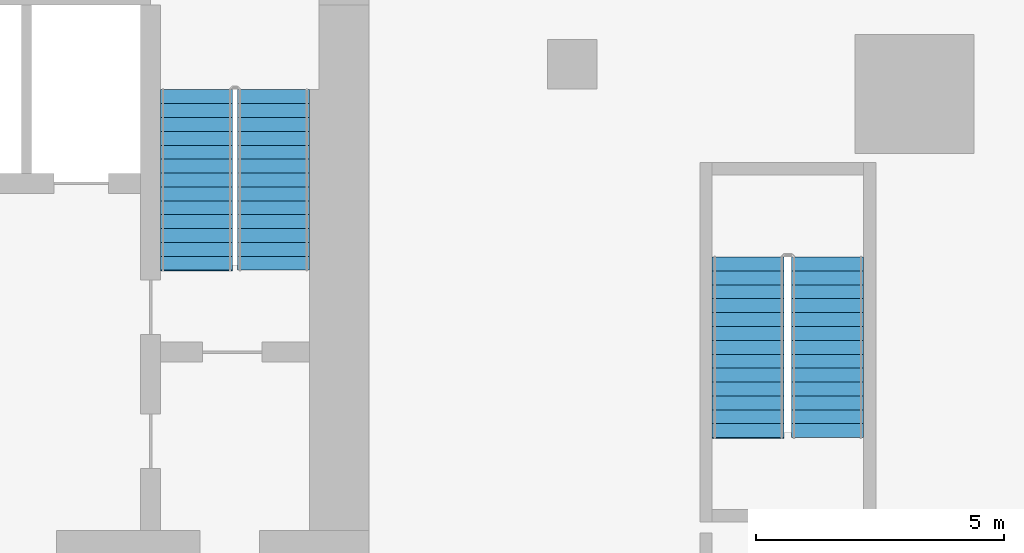
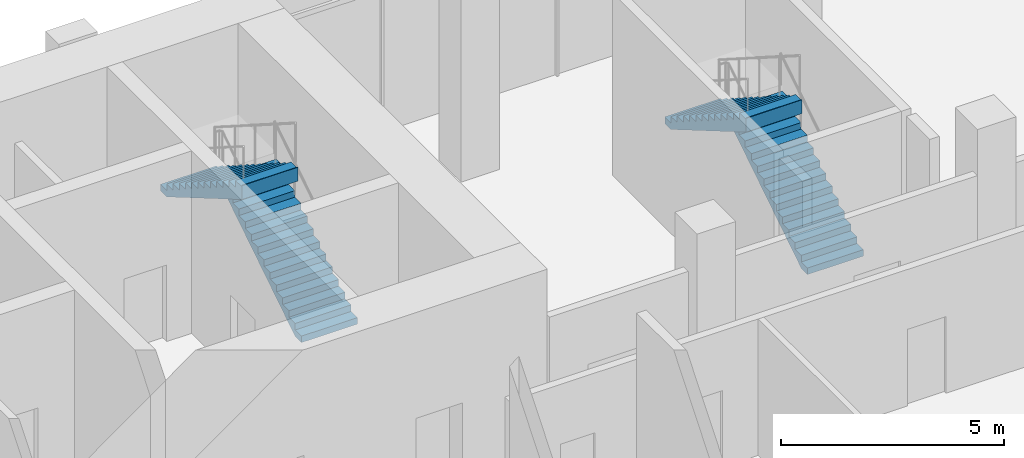
# One storey, part 15 of 17: 4 stair flights, 2 elements without a shape of their own.
"""IFC4 building model written with IfcOpenShell, lengths in metres."""

import ifcopenshell
import ifcopenshell.guid

model = None  # the IFC model being written
_history = None  # IfcOwnerHistory: only IFC2X3 demands one
_inside = {}  # id of a spatial element -> (the spatial element, [elements in it])
_under = {}  # id of a project, library or spatial element -> (it, [spatial elements below it])
_declared = {}  # id of a project -> (the project, [libraries it declares])
_typed = {}  # id of a type object -> (the type object, [elements of that type])
_made_of = {}  # id of a material, layer set ... -> (it, [elements and type objects made of it])


def new_model(schema):
    """Start an empty IFC model of exactly this schema.

    Asked for "IFC4X3", IfcOpenShell would pick the latest addendum, in which some entities
    have other attributes; the version numbers below select the first issue.
    IFC2X3 requires an IfcOwnerHistory on every rooted entity: one is made here for all.
    """
    global model, _history
    if schema == "IFC4X3":
        model = ifcopenshell.file(schema_version=(4, 3, 0, 0))
    else:
        model = ifcopenshell.file(schema=schema)
    _inside.clear()
    _under.clear()
    _declared.clear()
    _typed.clear()
    _made_of.clear()
    _history = None
    if model.schema == "IFC2X3":
        org = make("IfcOrganization", Name="unknown")
        user = make(
            "IfcPersonAndOrganization",
            ThePerson=make("IfcPerson", FamilyName="unknown"),
            TheOrganization=org,
        )
        app = make(
            "IfcApplication",
            ApplicationDeveloper=org,
            Version="unknown",
            ApplicationFullName="unknown",
            ApplicationIdentifier="unknown",
        )
        _history = make(
            "IfcOwnerHistory",
            OwningUser=user,
            OwningApplication=app,
            ChangeAction="ADDED",
            CreationDate=0,
        )
    return model


def make(cls, **values):
    """One entity of the class cls with the attributes given. An attribute that is None is left unset."""
    return model.create_entity(
        cls, **{name: value for name, value in values.items() if value is not None}
    )


def rooted(cls, **values):
    """An entity with a GlobalId (a new one), such as an element, a storey or a relation."""
    return make(cls, GlobalId=ifcopenshell.guid.new(), OwnerHistory=_history, **values)


def si_unit(unit_type, name, prefix=None):
    """IfcSIUnit, for example si_unit("LENGTHUNIT", "METRE", prefix="MILLI")."""
    return make("IfcSIUnit", UnitType=unit_type, Prefix=prefix, Name=name)


def assignment(units):
    """IfcUnitAssignment: the units of a project."""
    return None if units is None else make("IfcUnitAssignment", Units=units)


def point(xyz):
    """IfcCartesianPoint."""
    return None if xyz is None else make("IfcCartesianPoint", Coordinates=xyz)


def direction(xyz):
    """IfcDirection."""
    return None if xyz is None else make("IfcDirection", DirectionRatios=xyz)


def frame(location, z_axis=None, x_axis=None):
    """IfcAxis2Placement3D, a coordinate frame: its origin and axes. An axis left out is left unset."""
    return make(
        "IfcAxis2Placement3D",
        Location=point(location),
        Axis=direction(z_axis),
        RefDirection=direction(x_axis),
    )


def origin():
    """The frame at (0, 0, 0) with its axes left unset."""
    return frame((0.0, 0.0, 0.0))


def place(relative_to, where):
    """IfcLocalPlacement: puts the frame where relative to a parent placement (None: the world)."""
    return make(
        "IfcLocalPlacement", PlacementRelTo=relative_to, RelativePlacement=where
    )


def context(
    kind, dimensions, precision=None, world=None, true_north=None, identifier=None
):
    """IfcGeometricRepresentationContext, for example the 3D "Model" context."""
    return make(
        "IfcGeometricRepresentationContext",
        ContextIdentifier=identifier,
        ContextType=kind,
        CoordinateSpaceDimension=dimensions,
        Precision=precision,
        WorldCoordinateSystem=world,
        TrueNorth=true_north,
    )


def subcontext(parent, identifier, kind, view, scale=None):
    """IfcGeometricRepresentationSubContext, for example "Body" below "Model"."""
    return make(
        "IfcGeometricRepresentationSubContext",
        ContextIdentifier=identifier,
        ContextType=kind,
        ParentContext=parent,
        TargetScale=scale,
        TargetView=view,
    )


def project(units=None, contexts=None):
    """IfcProject with its units and contexts."""
    return rooted(
        "IfcProject",
        Name="project",
        RepresentationContexts=contexts,
        UnitsInContext=assignment(units),
    )


def spatial(cls, under=None, at=None, **own):
    """A site, building, storey or space (cls), placed at a placement, below another one or the project."""
    s = rooted(cls, ObjectPlacement=at, **own)
    if under is not None:
        _under.setdefault(under.id(), (under, []))[1].append(s)
    return s


def polyline(points):
    """IfcPolyline through the points."""
    return make("IfcPolyline", Points=[point(p) for p in points])


def outline(outer, holes=None, kind="AREA"):
    """IfcArbitraryClosedProfileDef: a profile drawn as a closed curve; with holes, ...WithVoids."""
    if holes is None:
        return make("IfcArbitraryClosedProfileDef", ProfileType=kind, OuterCurve=outer)
    return make(
        "IfcArbitraryProfileDefWithVoids",
        ProfileType=kind,
        OuterCurve=outer,
        InnerCurves=holes,
    )


def extrude(swept, where, along, depth):
    """IfcExtrudedAreaSolid: the profile swept, set in the frame where, extruded along a direction by depth."""
    return make(
        "IfcExtrudedAreaSolid",
        SweptArea=swept,
        Position=where,
        ExtrudedDirection=direction(along),
        Depth=depth,
    )


def shape(context_of_items, identifier, shape_type, items):
    """IfcShapeRepresentation: the items that make up one representation, for example the "Body"."""
    return make(
        "IfcShapeRepresentation",
        ContextOfItems=context_of_items,
        RepresentationIdentifier=identifier,
        RepresentationType=shape_type,
        Items=items,
    )


def material(Name=None, Category=None):
    """IfcMaterial."""
    return make("IfcMaterial", Name=Name, Category=Category)


def made_of(thing, what):
    """Note that an element or type object is made of a material, layer set ...; save() writes the relation."""
    if what is not None:
        _made_of.setdefault(what.id(), (what, []))[1].append(thing)
    return thing


def type_object(cls, material=None, **own):
    """A type object (cls), such as IfcWallType, which elements share."""
    return made_of(rooted(cls, **own), material)


def element(
    cls,
    number,
    at=None,
    inside=None,
    cuts=None,
    type_object=None,
    material=None,
    context=None,
    identifier="Body",
    shape_type=None,
    held_by="IfcProductDefinitionShape",
    body=None,
    shapes=None,
    **own,
):
    """One element of the class cls, such as IfcWall. Its Tag is "e" and its number.

    at: its placement. inside: the storey or other place that contains it. cuts: it is an
    opening in that element (IfcRelVoidsElement). A single representation is given by context,
    identifier, shape_type and body (its items); several are given by shapes. held_by: the class
    of the entity that holds the representations. save() writes the other relations.
    """
    e = rooted(cls, Tag="e%d" % number, ObjectPlacement=at, **own)
    if body is not None:
        shapes = [shape(context, identifier, shape_type, body)]
    if shapes is not None:
        e.Representation = make(held_by, Representations=shapes)
    if inside is not None:
        _inside.setdefault(inside.id(), (inside, []))[1].append(e)
    if cuts is not None:
        rooted(
            "IfcRelVoidsElement", RelatingBuildingElement=cuts, RelatedOpeningElement=e
        )
    if type_object is not None:
        _typed.setdefault(type_object.id(), (type_object, []))[1].append(e)
    return made_of(e, material)


def aggregate(whole, parts):
    """IfcRelAggregates: a whole, such as a stair, and the parts it consists of."""
    return rooted("IfcRelAggregates", RelatingObject=whole, RelatedObjects=parts)


def save(model, path):
    """Write the relations noted so far, then the file.

    IfcRelAggregates (storeys below a building ...), IfcRelContainedInSpatialStructure (elements
    in a storey), IfcRelDefinesByType, IfcRelAssociatesMaterial and IfcRelDeclares: one each for
    every whole, place, type object, material and project.
    """
    for whole, parts in _under.values():
        aggregate(whole, parts)
    for where, things in _inside.values():
        rooted(
            "IfcRelContainedInSpatialStructure",
            RelatedElements=things,
            RelatingStructure=where,
        )
    for kind, things in _typed.values():
        rooted("IfcRelDefinesByType", RelatedObjects=things, RelatingType=kind)
    for what, things in _made_of.values():
        rooted("IfcRelAssociatesMaterial", RelatedObjects=things, RelatingMaterial=what)
    for by, libraries in _declared.values():
        rooted("IfcRelDeclares", RelatingContext=by, RelatedDefinitions=libraries)
    model.write(path)


model = new_model("IFC4")

# Units and contexts
model_context = context("Model", 3, precision=1e-05, world=origin(), true_north=direction((0.0, 1.0)))
body_context = subcontext(model_context, "Body", "Model", "MODEL_VIEW")
ifc_project = project(units=[si_unit("LENGTHUNIT", "METRE"), si_unit("AREAUNIT", "SQUARE_METRE"), si_unit("VOLUMEUNIT", "CUBIC_METRE"), si_unit("PLANEANGLEUNIT", "RADIAN"), si_unit("MASSUNIT", "GRAM", prefix="KILO")], contexts=[model_context])

# Site, building, storey
site_placement = place(None, origin())
site = spatial("IfcSite", under=ifc_project, at=site_placement, CompositionType="ELEMENT")
building_placement = place(site_placement, origin())
building = spatial("IfcBuilding", under=site, at=building_placement, Name="Bicima Exchange Tower", CompositionType="ELEMENT")
storey_placement = place(building_placement, frame((0.0, 0.0, 30.0)))
storey = spatial("IfcBuildingStorey", under=building, at=storey_placement, Name="L05", CompositionType="ELEMENT", Elevation=30.0)

# Stair, stair flights
ifc_material = material(Name="Concrete C50/60", Category="concrete")
stair_type = type_object("IfcStairType", Name="Exit stair", PredefinedType="HALF_TURN_STAIR", material=ifc_material)
stair_1_placement = place(storey_placement, origin())
stair_1 = element("IfcStair", 1, at=stair_1_placement, inside=storey, type_object=stair_type, Name="L05 East exit stair", PredefinedType="HALF_TURN_STAIR")
stair_flight_type = type_object("IfcStairFlightType", Name="Stair flight RC", PredefinedType="STRAIGHT", material=ifc_material)
stair_flight_1_placement = place(storey_placement, frame((20.074951171875, -6.550048828125, 0.0), z_axis=(0.0, 0.0, 1.0), x_axis=(0.0, 1.0, 0.0)))
stair_flight_1 = element("IfcStairFlight", 2, at=stair_flight_1_placement, type_object=stair_flight_type, Name="ST-E flight 1", NumberOfRisers=14, NumberOfTreads=13, PredefinedType="STRAIGHT", RiserHeight=0.178571429, TreadLength=0.28, context=body_context, shape_type="SweptSolid", body=[
    extrude(outline(polyline([(0.0, 0.0), (0.0, 0.178466796875), (0.280029296875, 0.178466796875), (0.280029296875, 0.357177734375), (0.56005859375, 0.357177734375), (0.56005859375, 0.53564453125), (0.840087890625, 0.53564453125), (0.840087890625, 0.71435546875), (1.1201171875, 0.71435546875), (1.1201171875, 0.892822265625), (1.39990234375, 0.892822265625), (1.39990234375, 1.071533203125), (1.679931640625, 1.071533203125), (1.679931640625, 1.25), (1.9599609375, 1.25), (1.9599609375, 1.428466796875), (2.239990234375, 1.428466796875), (2.239990234375, 1.607177734375), (2.52001953125, 1.607177734375), (2.52001953125, 1.78564453125), (2.800048828125, 1.78564453125), (2.800048828125, 1.96435546875), (3.080078125, 1.96435546875), (3.080078125, 2.142822265625), (3.360107421875, 2.142822265625), (3.360107421875, 2.321533203125), (3.639892578125, 2.321533203125), (3.639892578125, 2.5), (3.639892578125, 2.1435546875), (0.27880859375, 0.0), (0.0, 0.0)])), frame((0.0, 0.72509765625, 0.0), z_axis=(0.0, -1.0, 0.0), x_axis=(1.0, 0.0, 0.0)), (0.0, 0.0, 1.0), 1.449951171875),
])
stair_flight_2_placement = place(storey_placement, frame((18.52490234375, -2.909912109375, 2.5), z_axis=(0.0, 0.0, 1.0), x_axis=(0.0, -1.0, 0.0)))
stair_flight_2 = element("IfcStairFlight", 3, at=stair_flight_2_placement, type_object=stair_flight_type, Name="ST-E flight 2", NumberOfRisers=14, NumberOfTreads=13, PredefinedType="STRAIGHT", RiserHeight=0.178571429, TreadLength=0.28, context=body_context, shape_type="SweptSolid", body=[
    extrude(outline(polyline([(0.0, 0.0), (0.0, 0.178466796875), (0.280029296875, 0.178466796875), (0.280029296875, 0.357177734375), (0.56005859375, 0.357177734375), (0.56005859375, 0.53564453125), (0.840087890625, 0.53564453125), (0.840087890625, 0.71435546875), (1.1201171875, 0.71435546875), (1.1201171875, 0.892822265625), (1.39990234375, 0.892822265625), (1.39990234375, 1.071533203125), (1.679931640625, 1.071533203125), (1.679931640625, 1.25), (1.9599609375, 1.25), (1.9599609375, 1.428466796875), (2.239990234375, 1.428466796875), (2.239990234375, 1.607177734375), (2.52001953125, 1.607177734375), (2.52001953125, 1.78564453125), (2.800048828125, 1.78564453125), (2.800048828125, 1.96435546875), (3.080078125, 1.96435546875), (3.080078125, 2.142822265625), (3.360107421875, 2.142822265625), (3.360107421875, 2.321533203125), (3.639892578125, 2.321533203125), (3.639892578125, 2.35400390625), (3.655029296875, 2.35400390625), (3.655029296875, 1.974609375), (0.27880859375, 0.0), (0.0, 0.0)])), frame((0.0, 0.72509765625, 0.0), z_axis=(0.0, -1.0, 0.0), x_axis=(1.0, 0.0, 0.0)), (0.0, 0.0, 1.0), 1.449951171875),
])
aggregate(stair_1, [stair_flight_1, stair_flight_2])

stair_2_placement = place(storey_placement, origin())
stair_2 = element("IfcStair", 4, at=stair_2_placement, inside=storey, type_object=stair_type, Name="L05 East end exit stair", PredefinedType="HALF_TURN_STAIR")
stair_flight_3_placement = place(storey_placement, frame((31.25, -9.925048828125, 0.0), z_axis=(0.0, 0.0, 1.0), x_axis=(0.0, 1.0, 0.0)))
stair_flight_3 = element("IfcStairFlight", 5, at=stair_flight_3_placement, type_object=stair_flight_type, Name="ST-EE flight 1", NumberOfRisers=14, NumberOfTreads=13, PredefinedType="STRAIGHT", RiserHeight=0.178571429, TreadLength=0.28, context=body_context, shape_type="SweptSolid", body=[
    extrude(outline(polyline([(0.0, 0.0), (0.0, 0.178466796875), (0.280029296875, 0.178466796875), (0.280029296875, 0.357177734375), (0.56005859375, 0.357177734375), (0.56005859375, 0.53564453125), (0.840087890625, 0.53564453125), (0.840087890625, 0.71435546875), (1.1201171875, 0.71435546875), (1.1201171875, 0.892822265625), (1.39990234375, 0.892822265625), (1.39990234375, 1.071533203125), (1.679931640625, 1.071533203125), (1.679931640625, 1.25), (1.9599609375, 1.25), (1.9599609375, 1.428466796875), (2.239990234375, 1.428466796875), (2.239990234375, 1.607177734375), (2.52001953125, 1.607177734375), (2.52001953125, 1.78564453125), (2.800048828125, 1.78564453125), (2.800048828125, 1.96435546875), (3.080078125, 1.96435546875), (3.080078125, 2.142822265625), (3.360107421875, 2.142822265625), (3.360107421875, 2.321533203125), (3.639892578125, 2.321533203125), (3.639892578125, 2.5), (3.639892578125, 2.1435546875), (0.27880859375, 0.0), (0.0, 0.0)])), frame((0.0, 0.72509765625, 0.0), z_axis=(0.0, -1.0, 0.0), x_axis=(1.0, 0.0, 0.0)), (0.0, 0.0, 1.0), 1.449951171875),
])
stair_flight_4_placement = place(storey_placement, frame((29.64990234375, -6.284912109375, 2.5), z_axis=(0.0, 0.0, 1.0), x_axis=(0.0, -1.0, 0.0)))
stair_flight_4 = element("IfcStairFlight", 6, at=stair_flight_4_placement, type_object=stair_flight_type, Name="ST-EE flight 2", NumberOfRisers=14, NumberOfTreads=13, PredefinedType="STRAIGHT", RiserHeight=0.178571429, TreadLength=0.28, context=body_context, shape_type="SweptSolid", body=[
    extrude(outline(polyline([(0.0, 0.0), (0.0, 0.178466796875), (0.280029296875, 0.178466796875), (0.280029296875, 0.357177734375), (0.56005859375, 0.357177734375), (0.56005859375, 0.53564453125), (0.840087890625, 0.53564453125), (0.840087890625, 0.71435546875), (1.1201171875, 0.71435546875), (1.1201171875, 0.892822265625), (1.39990234375, 0.892822265625), (1.39990234375, 1.071533203125), (1.679931640625, 1.071533203125), (1.679931640625, 1.25), (1.9599609375, 1.25), (1.9599609375, 1.428466796875), (2.239990234375, 1.428466796875), (2.239990234375, 1.607177734375), (2.52001953125, 1.607177734375), (2.52001953125, 1.78564453125), (2.800048828125, 1.78564453125), (2.800048828125, 1.96435546875), (3.080078125, 1.96435546875), (3.080078125, 2.142822265625), (3.360107421875, 2.142822265625), (3.360107421875, 2.321533203125), (3.639892578125, 2.321533203125), (3.639892578125, 2.35400390625), (3.655029296875, 2.35400390625), (3.655029296875, 1.974609375), (0.27880859375, 0.0), (0.0, 0.0)])), frame((0.0, 0.72509765625, 0.0), z_axis=(0.0, -1.0, 0.0), x_axis=(1.0, 0.0, 0.0)), (0.0, 0.0, 1.0), 1.449951171875),
])
aggregate(stair_2, [stair_flight_3, stair_flight_4])

save(model, "model.ifc")
